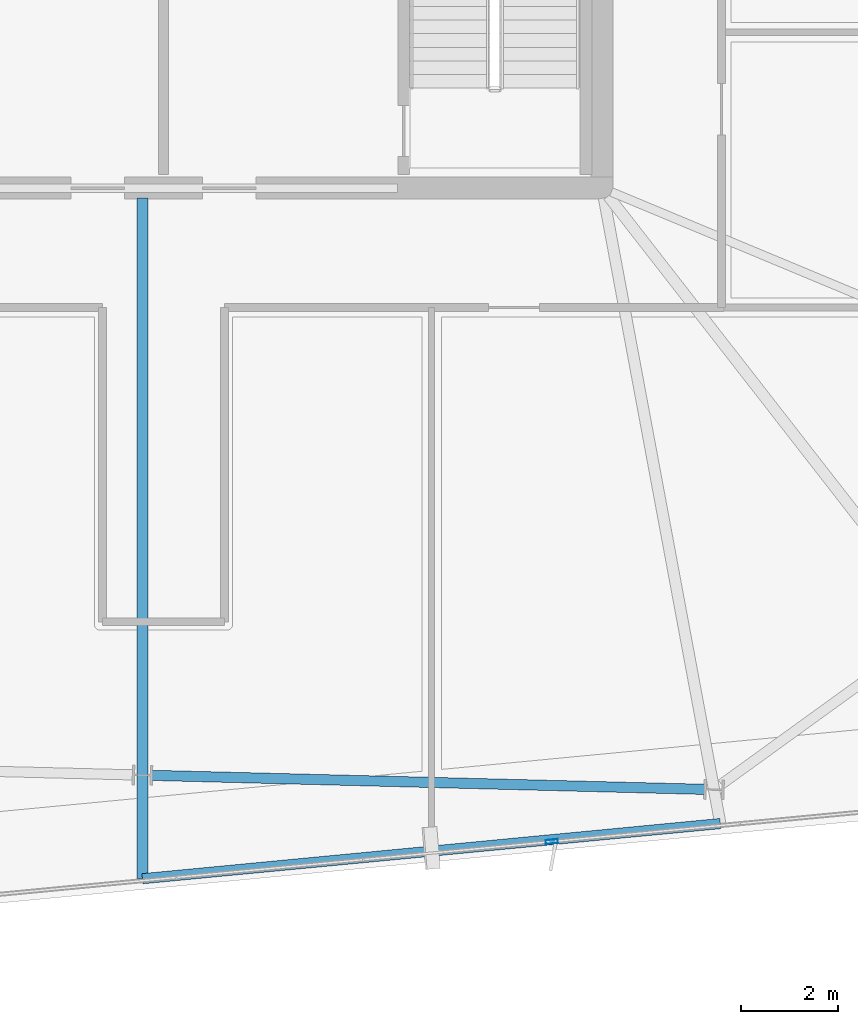
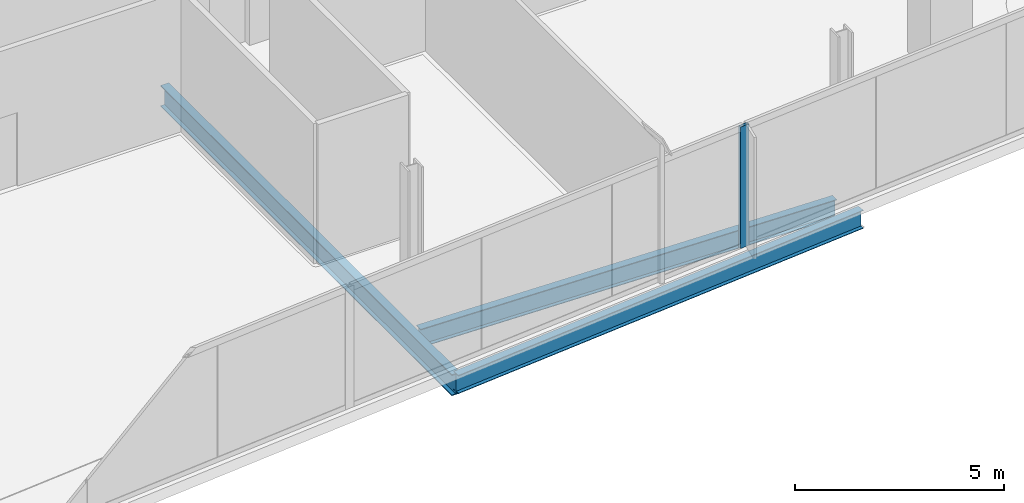
# One storey, part 5 of 24: 3 beams, 1 member, 1 element without a shape of its own.
"""IFC4 building model written with IfcOpenShell, lengths in metres."""

from ifc_helpers import new_model, si_unit, direction, frame, origin, origin_2d, place, context, subcontext, project, spatial, hollow_rectangle, i_section, extrude, material, material_profile, profile_set, type_object, element, aggregate, save


model = new_model("IFC4")

# Units and contexts
model_context = context("Model", 3, precision=1e-05, world=origin(), true_north=direction((0.0, 1.0)))
body_context = subcontext(model_context, "Body", "Model", "MODEL_VIEW")
ifc_project = project(units=[si_unit("LENGTHUNIT", "METRE"), si_unit("AREAUNIT", "SQUARE_METRE"), si_unit("VOLUMEUNIT", "CUBIC_METRE"), si_unit("PLANEANGLEUNIT", "RADIAN"), si_unit("MASSUNIT", "GRAM", prefix="KILO")], contexts=[model_context])

# Site, building, storey
site_placement = place(None, origin())
site = spatial("IfcSite", under=ifc_project, at=site_placement, CompositionType="ELEMENT")
building_placement = place(site_placement, origin())
building = spatial("IfcBuilding", under=site, at=building_placement, Name="Haldenkirk Collegiate Tower", CompositionType="ELEMENT")
storey_placement = place(building_placement, frame((0.0, 0.0, 347.699951171875)))
storey = spatial("IfcBuildingStorey", under=building, at=storey_placement, Name="L88", CompositionType="ELEMENT", Elevation=347.699951171875)

# Beams
ifc_material_1 = material(Name="Steel ASTM A992 Grade 50", Category="steel")
ifc_material_profile_1 = material_profile(ifc_material_1, i_section(OverallWidth=0.22998046875, OverallDepth=0.616943359375, WebThickness=0.01318359375, FlangeThickness=0.022216796875, at=origin_2d()), Name="W24X94")
ifc_profile_set_1 = profile_set([ifc_material_profile_1], Name="Steel ASTM A992 Grade 50")
beam_type_1 = type_object("IfcBeamType", Name="BM-GIRDER-W24X94", PredefinedType="BEAM", material=ifc_profile_set_1)
beam_1_placement = place(storey_placement, frame((35.567626953125, 3.82861328125, -0.62841796875), z_axis=(0.0, 1.0, 0.0), x_axis=(-1.0, 0.0, 0.0)))
element("IfcBeam", 1, at=beam_1_placement, inside=storey, type_object=beam_type_1, Name="L88 primary floor girder 15", PredefinedType="BEAM", context=body_context, shape_type="SweptSolid", body=[
    extrude(i_section(OverallWidth=0.22998046875, OverallDepth=0.616943359375, WebThickness=0.01318359375, FlangeThickness=0.022216796875, at=origin_2d()), origin(), (0.0, 0.0, 1.0), 13.96630859375),
])
ifc_material_profile_2 = material_profile(ifc_material_1, i_section(OverallWidth=0.2099609375, OverallDepth=0.537109375, WebThickness=0.010986328125, FlangeThickness=0.017333984375, at=origin_2d()), Name="W21X68")
ifc_profile_set_2 = profile_set([ifc_material_profile_2], Name="Steel ASTM A992 Grade 50")
beam_type_2 = type_object("IfcBeamType", Name="BM-SPANDREL-W21X68", PredefinedType="SPANDREL", material=ifc_profile_set_2)
beam_2_placement = place(storey_placement, frame((35.755615234375, 5.94970703125, -0.58837890625), z_axis=(0.999679850822, -0.025302092003, 0.0), x_axis=(0.025302092003, 0.999679850822, 0.0)))
element("IfcBeam", 2, at=beam_2_placement, inside=storey, type_object=beam_type_2, Name="L88 perimeter spandrel beam 15", PredefinedType="SPANDREL", context=body_context, shape_type="SweptSolid", body=[
    extrude(i_section(OverallWidth=0.2099609375, OverallDepth=0.537109375, WebThickness=0.010986328125, FlangeThickness=0.017333984375, at=origin_2d()), origin(), (0.0, 0.0, 1.0), 11.35693359375),
])
beam_3_placement = place(storey_placement, frame((35.567626953125, 3.82861328125, -0.58837890625), z_axis=(0.995478416863, 0.094988007456, 0.0), x_axis=(-0.094988007456, 0.995478416863, 0.0)))
element("IfcBeam", 3, at=beam_3_placement, inside=storey, type_object=beam_type_2, Name="L88 outer facade edge beam 4", PredefinedType="SPANDREL", context=body_context, shape_type="SweptSolid", body=[
    extrude(i_section(OverallWidth=0.2099609375, OverallDepth=0.537109375, WebThickness=0.010986328125, FlangeThickness=0.017333984375, at=origin_2d()), origin(), (0.0, 0.0, 1.0), 11.9130859375),
])

# Curtain wall, member
ifc_material_2 = material(Name="Anodised architectural bronze aluminium", Category="aluminium")
curtain_wall_type = type_object("IfcCurtainWallType", Name="CW-SYS1B-CONVEX-HI", PredefinedType="USERDEFINED", material=ifc_material_2)
curtain_wall_placement = place(storey_placement, origin())
curtain_wall = element("IfcCurtainWall", 4, at=curtain_wall_placement, inside=storey, type_object=curtain_wall_type, Name="L88 Upper tower high-wind convex bronze unitised curtain wall", ObjectType="UNITISED CURTAIN WALL", PredefinedType="USERDEFINED")
ifc_material_profile_3 = material_profile(ifc_material_2, hollow_rectangle(XDim=0.0849609375, YDim=0.25, WallThickness=0.0048828125, at=origin_2d()), Name="CW-MUL-1B")
ifc_profile_set_3 = profile_set([ifc_material_profile_3], Name="Anodised architectural bronze aluminium")
member_type = type_object("IfcMemberType", Name="CW-MUL-1B", PredefinedType="MULLION", material=ifc_profile_set_3)
member_placement = place(storey_placement, frame((43.969482421875, 4.590087890625, 0.0), z_axis=(0.0, 0.0, 1.0), x_axis=(0.094973363212, -0.9954798141, 0.0)))
member = element("IfcMember", 5, at=member_placement, type_object=member_type, Name="CW-1B mullion 2", PredefinedType="MULLION", context=body_context, shape_type="SweptSolid", body=[
    extrude(hollow_rectangle(XDim=0.0849609375, YDim=0.25, WallThickness=0.0048828125, at=origin_2d()), origin(), (0.0, 0.0, 1.0), 3.55810546875),
])
aggregate(curtain_wall, [member])

save(model, "model.ifc")
